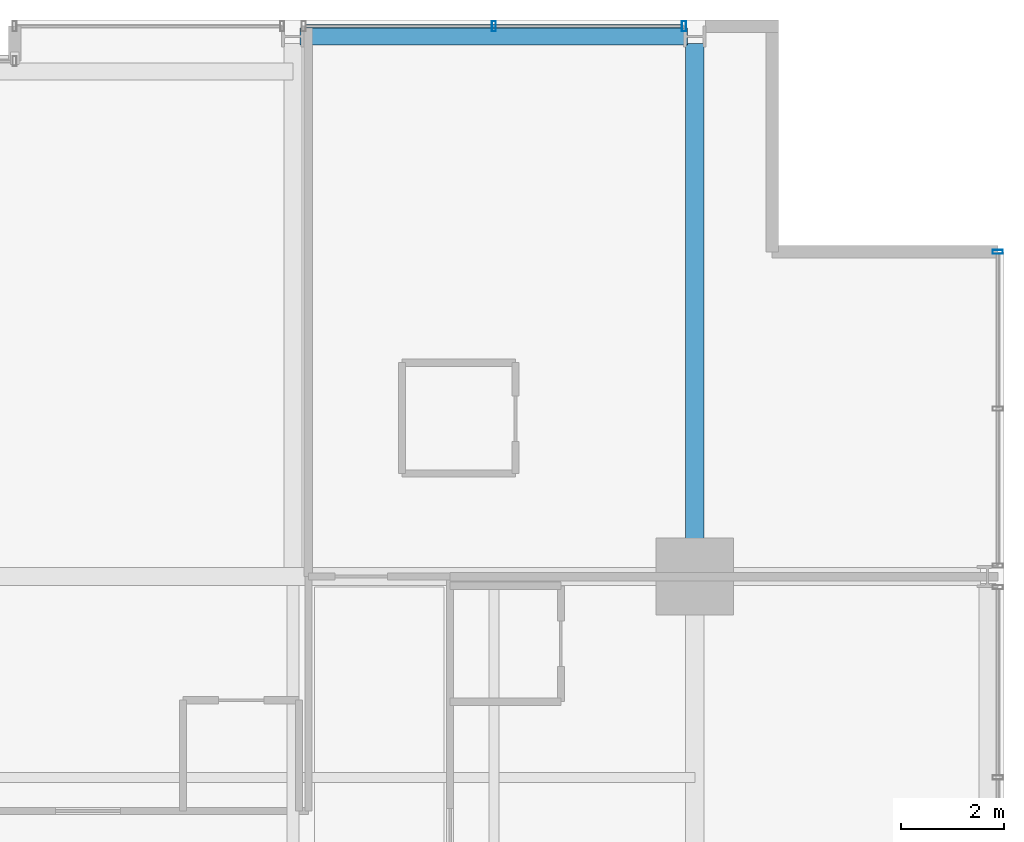
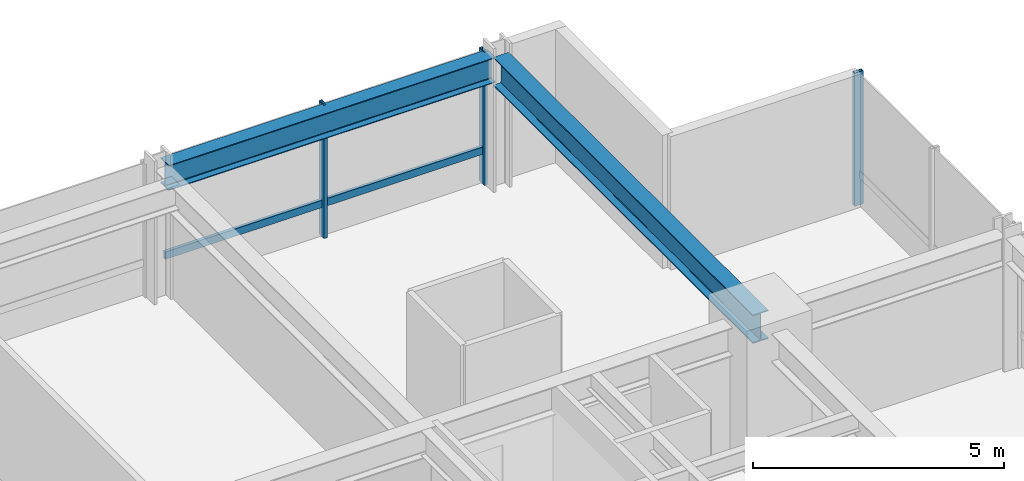
# One storey, part 26 of 35: 4 members, 2 beams, 2 elements without a shape of their own.
"""IFC4 building model written with IfcOpenShell, lengths in metres."""

from ifc_helpers import new_model, si_unit, direction, frame, origin, origin_2d, place, context, subcontext, project, spatial, hollow_rectangle, i_section, extrude, material, layer, layer_set, material_profile, profile_set, type_object, element, aggregate, save


model = new_model("IFC4")

# Units and contexts
model_context = context("Model", 3, precision=1e-05, world=origin(), true_north=direction((0.0, 1.0)))
body_context = subcontext(model_context, "Body", "Model", "MODEL_VIEW")
ifc_project = project(units=[si_unit("LENGTHUNIT", "METRE"), si_unit("AREAUNIT", "SQUARE_METRE"), si_unit("VOLUMEUNIT", "CUBIC_METRE"), si_unit("PLANEANGLEUNIT", "RADIAN"), si_unit("MASSUNIT", "GRAM", prefix="KILO")], contexts=[model_context])

# Site, building, storey
site_placement = place(None, origin())
site = spatial("IfcSite", under=ifc_project, at=site_placement, CompositionType="ELEMENT")
building_placement = place(site_placement, origin())
building = spatial("IfcBuilding", under=site, at=building_placement, Name="Drelvath Grand Hotel", CompositionType="ELEMENT")
storey_placement = place(building_placement, frame((0.0, 0.0, 123.300048828125)))
storey = spatial("IfcBuildingStorey", under=building, at=storey_placement, Name="L31", CompositionType="ELEMENT", Elevation=123.300048828125)

# Curtain wall, member
ifc_material_1 = material(Name="Champagne Bronze Anodised Aluminium Frame", Category="aluminium")
ifc_layer = layer(ifc_material_1, 0.199951171875)
ifc_layer_set = layer_set([ifc_layer], Name="Champagne Bronze Anodised Aluminium Frame")
curtain_wall_type = type_object("IfcCurtainWallType", Name="Stick Curtain Wall CW-03 Champagne Bronze Mid-Rise", PredefinedType="NOTDEFINED", material=ifc_layer_set)
curtain_wall_1_placement = place(storey_placement, origin())
curtain_wall_1 = element("IfcCurtainWall", 1, at=curtain_wall_1_placement, inside=storey, type_object=curtain_wall_type, Name="L31 CW-03 Curtain Wall CW03-L31-NE2", PredefinedType="NOTDEFINED")
ifc_material_profile_1 = material_profile(ifc_material_1, hollow_rectangle(XDim=0.074951171875, YDim=0.179931640625, WallThickness=0.0048828125, at=origin_2d()), Name="HSS180X75X5")
ifc_profile_set_1 = profile_set([ifc_material_profile_1], Name="Champagne Bronze Anodised Aluminium Frame")
member_type_1 = type_object("IfcMemberType", Name="Curtain Wall Horizontal Transom CW-03 HSS180X75X5", PredefinedType="USERDEFINED", material=ifc_profile_set_1)
member_1_placement = place(storey_placement, frame((8.6494140625, 53.8798828125, 0.81005859375), z_axis=(1.0, 0.0, 0.0), x_axis=(0.0, 1.0, 0.0)))
member_1 = element("IfcMember", 2, at=member_1_placement, type_object=member_type_1, Name="CW03-L31-NE2 Sill Transom", ObjectType="TRANSOM", PredefinedType="USERDEFINED", context=body_context, shape_type="SweptSolid", body=[
    extrude(hollow_rectangle(XDim=0.074951171875, YDim=0.179931640625, WallThickness=0.0048828125, at=origin_2d()), origin(), (0.0, 0.0, 1.0), 7.30126953125),
])

curtain_wall_2_placement = place(storey_placement, origin())
curtain_wall_2 = element("IfcCurtainWall", 3, at=curtain_wall_2_placement, inside=storey, type_object=curtain_wall_type, Name="L31 CW-03 Curtain Wall CW03-L31-EN3", PredefinedType="NOTDEFINED")
ifc_material_profile_2 = material_profile(ifc_material_1, hollow_rectangle(XDim=0.080078125, YDim=0.199951171875, WallThickness=0.0048828125, at=origin_2d()), Name="HSS200X80X5")
ifc_profile_set_2 = profile_set([ifc_material_profile_2], Name="Champagne Bronze Anodised Aluminium Frame")
member_type_2 = type_object("IfcMemberType", Name="Curtain Wall Vertical Mullion CW-03 HSS200X80X5", PredefinedType="MULLION", material=ifc_profile_set_2)
member_2_placement = place(storey_placement, frame((22.080078125, 49.5, 0.0), z_axis=(0.0, 0.0, 1.0), x_axis=(0.0, 1.0, 0.0)))
member_2 = element("IfcMember", 4, at=member_2_placement, type_object=member_type_2, Name="CW03-L31-EN3 Mullion 1", PredefinedType="MULLION", context=body_context, shape_type="SweptSolid", body=[
    extrude(hollow_rectangle(XDim=0.080078125, YDim=0.199951171875, WallThickness=0.0048828125, at=origin_2d()), origin(), (0.0, 0.0, 1.0), 3.239990234375),
])
aggregate(curtain_wall_2, [member_2])

# Member
member_3_placement = place(storey_placement, frame((12.300048828125, 53.8798828125, 0.0), z_axis=(0.0, 0.0, 1.0), x_axis=(1.0, 0.0, 0.0)))
member_3 = element("IfcMember", 5, at=member_3_placement, type_object=member_type_2, Name="CW03-L31-NE2 Mullion 2", PredefinedType="MULLION", context=body_context, shape_type="SweptSolid", body=[
    extrude(hollow_rectangle(XDim=0.080078125, YDim=0.199951171875, WallThickness=0.0048828125, at=origin_2d()), origin(), (0.0, 0.0, 1.0), 3.239990234375),
])

member_4_placement = place(storey_placement, frame((15.990478515625, 53.8798828125, 0.0), z_axis=(0.0, 0.0, 1.0), x_axis=(1.0, 0.0, 0.0)))
member_4 = element("IfcMember", 6, at=member_4_placement, type_object=member_type_2, Name="CW03-L31-NE2 Mullion 3", PredefinedType="MULLION", context=body_context, shape_type="SweptSolid", body=[
    extrude(hollow_rectangle(XDim=0.080078125, YDim=0.199951171875, WallThickness=0.0048828125, at=origin_2d()), origin(), (0.0, 0.0, 1.0), 3.239990234375),
])

aggregate(curtain_wall_1, [member_3, member_4, member_1])

# Beams
ifc_material_2 = material(Name="Steel ASTM A992 Gr 50", Category="steel")
ifc_material_profile_3 = material_profile(ifc_material_2, i_section(OverallWidth=0.323974609375, OverallDepth=0.611083984375, WebThickness=0.0126953125, FlangeThickness=0.01904296875, FilletRadius=0.02197265625, at=origin_2d()), Name="W24X104")
ifc_profile_set_3 = profile_set([ifc_material_profile_3], Name="Steel ASTM A992 Gr 50")
beam_type_1 = type_object("IfcBeamType", Name="Perimeter Spandrel Beam W24X104", PredefinedType="SPANDREL", material=ifc_profile_set_3)
beam_1_placement = place(storey_placement, frame((8.5400390625, 53.679931640625, 2.9345703125), z_axis=(1.0, 0.0, 0.0), x_axis=(0.0, 1.0, 0.0)))
element("IfcBeam", 7, at=beam_1_placement, inside=storey, type_object=beam_type_1, Name="L31 Spandrel North E", PredefinedType="SPANDREL", context=body_context, shape_type="SweptSolid", body=[
    extrude(i_section(OverallWidth=0.323974609375, OverallDepth=0.611083984375, WebThickness=0.0126953125, FlangeThickness=0.01904296875, FilletRadius=0.02197265625, at=origin_2d()), origin(), (0.0, 0.0, 1.0), 7.52001953125),
])
ifc_material_profile_4 = material_profile(ifc_material_2, i_section(OverallWidth=0.354736328125, OverallDepth=0.695556640625, WebThickness=0.015380859375, FlangeThickness=0.025146484375, FilletRadius=0.02392578125, at=origin_2d()), Name="W27X146")
ifc_profile_set_4 = profile_set([ifc_material_profile_4], Name="Steel ASTM A992 Gr 50")
beam_type_2 = type_object("IfcBeamType", Name="Primary Floor Girder W27X146", PredefinedType="BEAM", material=ifc_profile_set_4)
beam_2_placement = place(storey_placement, frame((16.199951171875, 43.199951171875, 2.892333984375), z_axis=(0.0, 1.0, 0.0), x_axis=(-1.0, 0.0, 0.0)))
element("IfcBeam", 8, at=beam_2_placement, inside=storey, type_object=beam_type_2, Name="L31 North Grid Girder 7", PredefinedType="BEAM", context=body_context, shape_type="SweptSolid", body=[
    extrude(i_section(OverallWidth=0.354736328125, OverallDepth=0.695556640625, WebThickness=0.015380859375, FlangeThickness=0.025146484375, FilletRadius=0.02392578125, at=origin_2d()), origin(), (0.0, 0.0, 1.0), 10.340087890625),
])

save(model, "model.ifc")
